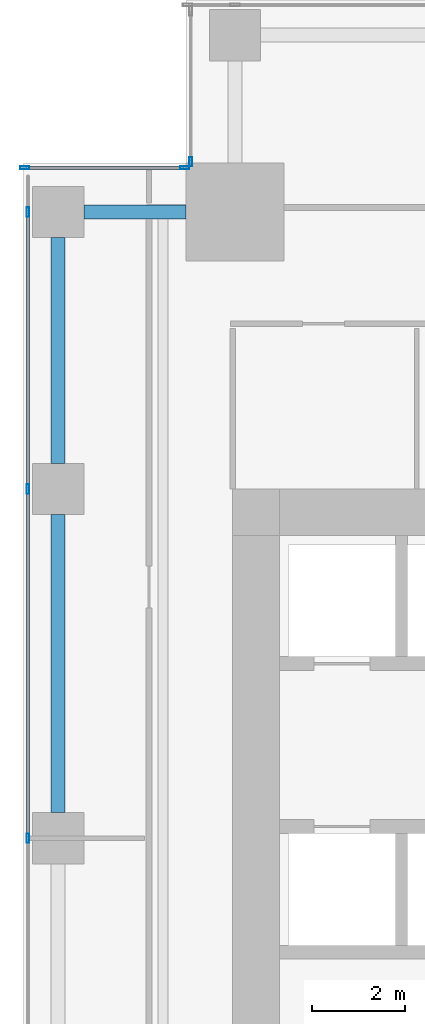
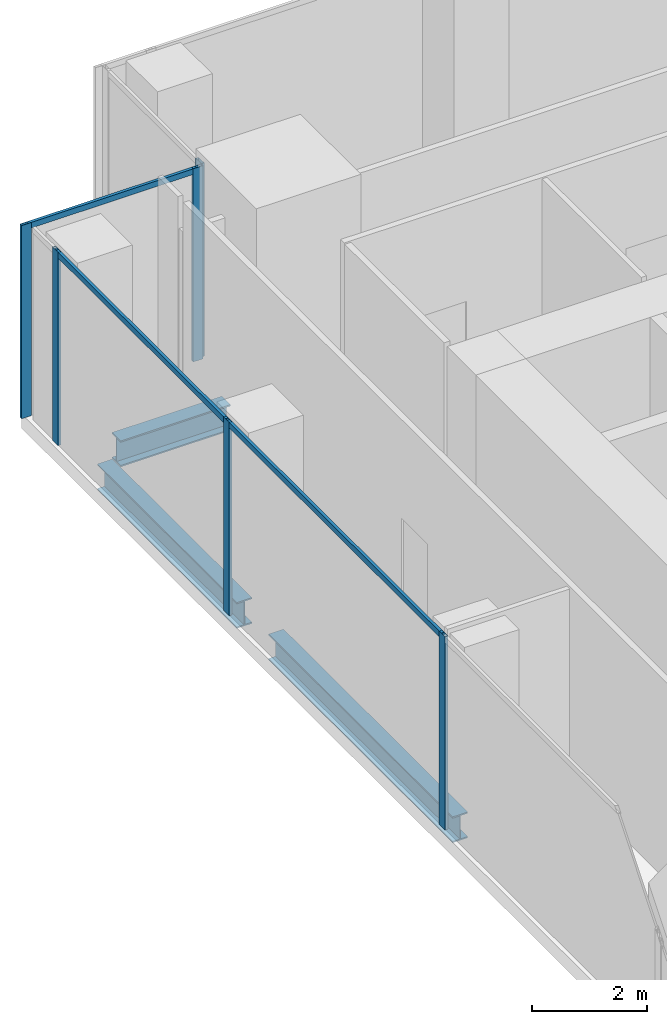
# One storey, part 14 of 33: 9 members, 3 beams, 3 elements without a shape of their own.
"""IFC4 building model written with IfcOpenShell, lengths in metres."""

from ifc_helpers import new_model, si_unit, direction, frame, origin, origin_2d, place, context, subcontext, project, spatial, hollow_rectangle, i_section, extrude, source, transform, mapped, material, material_profile, profile_set, type_object, element, aggregate, save


model = new_model("IFC4")

# Units and contexts
model_context = context("Model", 3, precision=1e-05, world=origin(), true_north=direction((0.0, 1.0)))
body_context = subcontext(model_context, "Body", "Model", "MODEL_VIEW")
ifc_project = project(units=[si_unit("LENGTHUNIT", "METRE"), si_unit("AREAUNIT", "SQUARE_METRE"), si_unit("VOLUMEUNIT", "CUBIC_METRE"), si_unit("PLANEANGLEUNIT", "RADIAN"), si_unit("MASSUNIT", "GRAM", prefix="KILO")], contexts=[model_context])

# Site, building, storey
site_placement = place(None, origin())
site = spatial("IfcSite", under=ifc_project, at=site_placement, CompositionType="ELEMENT")
building_placement = place(site_placement, origin())
building = spatial("IfcBuilding", under=site, at=building_placement, Name="Khomas Fold Tower", CompositionType="ELEMENT")
storey_placement = place(building_placement, frame((0.0, 0.0, 149.89990234375)))
storey = spatial("IfcBuildingStorey", under=building, at=storey_placement, Name="L32", CompositionType="ELEMENT", Elevation=149.89990234375)

# Beams
ifc_material_1 = material(Name="Steel S355", Category="steel")
ifc_material_profile_1 = material_profile(ifc_material_1, i_section(OverallWidth=0.300048828125, OverallDepth=0.550048828125, WebThickness=0.014892578125, FlangeThickness=0.029052734375, at=origin_2d()), Name="HE 550 B")
ifc_profile_set_1 = profile_set([ifc_material_profile_1], Name="Steel S355")
beam_type = type_object("IfcBeamType", Name="HE 550 B spandrel SB2", PredefinedType="SPANDREL", material=ifc_profile_set_1)
shared_shape_1 = source(origin(), body_context, "Body", "SweptSolid", [
    extrude(i_section(OverallWidth=0.300048828125, OverallDepth=0.550048828125, WebThickness=0.014892578125, FlangeThickness=0.029052734375, at=origin_2d()), origin(), (0.0, 0.0, 1.0), 4.849853515625),
])
beam_1_placement = place(storey_placement, frame((2.25, 42.550048828125, -0.574951171875), z_axis=(0.0, 1.0, 0.0), x_axis=(-1.0, 0.0, 0.0)))
element("IfcBeam", 1, at=beam_1_placement, inside=storey, type_object=beam_type, Name="SB2", PredefinedType="SPANDREL", context=body_context, shape_type="MappedRepresentation", body=[
    mapped(shared_shape_1, transform((0.0, 0.0, 0.0))),
])
shared_shape_2 = source(origin(), body_context, "Body", "SweptSolid", [
    extrude(i_section(OverallWidth=0.300048828125, OverallDepth=0.550048828125, WebThickness=0.014892578125, FlangeThickness=0.029052734375, at=origin_2d()), origin(), (0.0, 0.0, 1.0), 6.39990234375),
])
beam_2_placement = place(storey_placement, frame((2.25, 35.050048828125, -0.574951171875), z_axis=(0.0, 1.0, 0.0), x_axis=(-1.0, 0.0, 0.0)))
element("IfcBeam", 2, at=beam_2_placement, inside=storey, type_object=beam_type, Name="SB2", PredefinedType="SPANDREL", context=body_context, shape_type="MappedRepresentation", body=[
    mapped(shared_shape_2, transform((0.0, 0.0, 0.0))),
])
shared_shape_3 = source(origin(), body_context, "Body", "SweptSolid", [
    extrude(i_section(OverallWidth=0.300048828125, OverallDepth=0.550048828125, WebThickness=0.014892578125, FlangeThickness=0.029052734375, at=origin_2d()), origin(), (0.0, 0.0, 1.0), 2.199951171875),
])
beam_3_placement = place(storey_placement, frame((2.800048828125, 47.949951171875, -0.574951171875), z_axis=(1.0, 0.0, 0.0), x_axis=(0.0, 1.0, 0.0)))
element("IfcBeam", 3, at=beam_3_placement, inside=storey, type_object=beam_type, Name="SB2", PredefinedType="SPANDREL", context=body_context, shape_type="MappedRepresentation", body=[
    mapped(shared_shape_3, transform((0.0, 0.0, 0.0))),
])

# Curtain wall, member
ifc_material_2 = material(Name="Aluminium framed double glazing", Category="aluminium")
curtain_wall_type = type_object("IfcCurtainWallType", Name="SK-Unitised clear-glass wall, growing floors CW1", PredefinedType="NOTDEFINED", material=ifc_material_2)
curtain_wall_1_placement = place(storey_placement, origin())
curtain_wall_1 = element("IfcCurtainWall", 4, at=curtain_wall_1_placement, inside=storey, type_object=curtain_wall_type, Name="CW1 run L32 09-0", PredefinedType="NOTDEFINED")
ifc_material_3 = material(Name="Aluminium", Category="aluminium")
ifc_material_profile_2 = material_profile(ifc_material_3, hollow_rectangle(XDim=0.06005859375, YDim=0.1201171875, WallThickness=0.00390625, at=origin_2d()), Name="SK-Unitised clear-glass wall, growing floors transom CW1-T")
ifc_profile_set_2 = profile_set([ifc_material_profile_2], Name="Aluminium")
member_type_1 = type_object("IfcMemberType", Name="SK-Unitised clear-glass wall, growing floors transom CW1-T", PredefinedType="USERDEFINED", material=ifc_profile_set_2)
shared_shape_4 = source(origin(), body_context, "Body", "SweptSolid", [
    extrude(hollow_rectangle(XDim=0.06005859375, YDim=0.1201171875, WallThickness=0.00390625, at=origin_2d()), origin(), (0.0, 0.0, 1.0), 7.43994140625),
])
member_1_placement = place(storey_placement, frame((1.60009765625, 41.969970703125, 4.0400390625), z_axis=(0.0, -1.0, 0.0), x_axis=(1.0, 0.0, 0.0)))
member_1 = element("IfcMember", 5, at=member_1_placement, type_object=member_type_1, Name="CW1 transom 3", ObjectType="TRANSOM", PredefinedType="USERDEFINED", context=body_context, shape_type="MappedRepresentation", body=[
    mapped(shared_shape_4, transform((0.0, 0.0, 0.0))),
])

curtain_wall_2_placement = place(storey_placement, origin())
curtain_wall_2 = element("IfcCurtainWall", 6, at=curtain_wall_2_placement, inside=storey, type_object=curtain_wall_type, Name="CW1 corner return L32 07", PredefinedType="NOTDEFINED")
ifc_material_4 = material(Name="Aluminium", Category="aluminium")
ifc_material_profile_3 = material_profile(ifc_material_4, hollow_rectangle(XDim=0.06005859375, YDim=0.199951171875, WallThickness=0.00390625, at=origin_2d()), Name="SK-Unitised clear-glass wall, growing floors mullion CW1-M")
ifc_profile_set_3 = profile_set([ifc_material_profile_3], Name="Aluminium")
member_type_2 = type_object("IfcMemberType", Name="SK-Unitised clear-glass wall, growing floors mullion CW1-M", PredefinedType="MULLION", material=ifc_profile_set_3)
shared_shape_5 = source(origin(), body_context, "Body", "SweptSolid", [
    extrude(hollow_rectangle(XDim=0.06005859375, YDim=0.199951171875, WallThickness=0.00390625, at=origin_2d()), origin(), (0.0, 0.0, 1.0), 4.10009765625),
])
member_2_placement = place(storey_placement, frame((5.10009765625, 49.030029296875, 0.0), z_axis=(0.0, 0.0, 1.0), x_axis=(1.0, 0.0, 0.0)))
member_2 = element("IfcMember", 7, at=member_2_placement, type_object=member_type_2, Name="CW1 mullion 2", PredefinedType="MULLION", context=body_context, shape_type="MappedRepresentation", body=[
    mapped(shared_shape_5, transform((0.0, 0.0, 0.0))),
])
aggregate(curtain_wall_2, [member_2])

# Curtain wall, members
curtain_wall_3_placement = place(storey_placement, origin())
curtain_wall_3 = element("IfcCurtainWall", 8, at=curtain_wall_3_placement, inside=storey, type_object=curtain_wall_type, Name="CW1 corner return L32 08", PredefinedType="NOTDEFINED")
member_3_placement = place(storey_placement, frame((4.969970703125, 48.89990234375, 0.0), z_axis=(0.0, 0.0, 1.0), x_axis=(0.0, -1.0, 0.0)))
member_3 = element("IfcMember", 9, at=member_3_placement, type_object=member_type_2, Name="CW1 mullion 1", PredefinedType="MULLION", context=body_context, shape_type="MappedRepresentation", body=[
    mapped(shared_shape_5, transform((0.0, 0.0, 0.0))),
])
member_4_placement = place(storey_placement, frame((1.530029296875, 48.89990234375, 0.0), z_axis=(0.0, 0.0, 1.0), x_axis=(0.0, -1.0, 0.0)))
member_4 = element("IfcMember", 10, at=member_4_placement, type_object=member_type_2, Name="CW1 mullion 2", PredefinedType="MULLION", context=body_context, shape_type="MappedRepresentation", body=[
    mapped(shared_shape_5, transform((0.0, 0.0, 0.0))),
])

# Member
member_5_placement = place(storey_placement, frame((1.60009765625, 47.949951171875, 0.0), z_axis=(0.0, 0.0, 1.0), x_axis=(1.0, 0.0, 0.0)))
member_5 = element("IfcMember", 11, at=member_5_placement, type_object=member_type_2, Name="CW1 mullion 2", PredefinedType="MULLION", context=body_context, shape_type="MappedRepresentation", body=[
    mapped(shared_shape_5, transform((0.0, 0.0, 0.0))),
])

member_6_placement = place(storey_placement, frame((1.60009765625, 42.0, 0.0), z_axis=(0.0, 0.0, 1.0), x_axis=(1.0, 0.0, 0.0)))
member_6 = element("IfcMember", 12, at=member_6_placement, type_object=member_type_2, Name="CW1 mullion 3", PredefinedType="MULLION", context=body_context, shape_type="MappedRepresentation", body=[
    mapped(shared_shape_5, transform((0.0, 0.0, 0.0))),
])

member_7_placement = place(storey_placement, frame((1.60009765625, 34.5, 0.0), z_axis=(0.0, 0.0, 1.0), x_axis=(1.0, 0.0, 0.0)))
member_7 = element("IfcMember", 13, at=member_7_placement, type_object=member_type_2, Name="CW1 mullion 4", PredefinedType="MULLION", context=body_context, shape_type="MappedRepresentation", body=[
    mapped(shared_shape_5, transform((0.0, 0.0, 0.0))),
])

shared_shape_6 = source(origin(), body_context, "Body", "SweptSolid", [
    extrude(hollow_rectangle(XDim=0.06005859375, YDim=0.1201171875, WallThickness=0.00390625, at=origin_2d()), origin(), (0.0, 0.0, 1.0), 5.889892578125),
])
member_8_placement = place(storey_placement, frame((1.60009765625, 47.919921875, 4.0400390625), z_axis=(0.0, -1.0, 0.0), x_axis=(1.0, 0.0, 0.0)))
member_8 = element("IfcMember", 14, at=member_8_placement, type_object=member_type_1, Name="CW1 transom 2", ObjectType="TRANSOM", PredefinedType="USERDEFINED", context=body_context, shape_type="MappedRepresentation", body=[
    mapped(shared_shape_6, transform((0.0, 0.0, 0.0))),
])

aggregate(curtain_wall_1, [member_5, member_6, member_7, member_8, member_1])

shared_shape_7 = source(origin(), body_context, "Body", "SweptSolid", [
    extrude(hollow_rectangle(XDim=0.06005859375, YDim=0.1201171875, WallThickness=0.00390625, at=origin_2d()), origin(), (0.0, 0.0, 1.0), 3.3798828125),
])
member_9_placement = place(storey_placement, frame((4.93994140625, 48.89990234375, 4.0400390625), z_axis=(-1.0, 0.0, 0.0), x_axis=(0.0, -1.0, 0.0)))
member_9 = element("IfcMember", 15, at=member_9_placement, type_object=member_type_1, Name="CW1 transom 1", ObjectType="TRANSOM", PredefinedType="USERDEFINED", context=body_context, shape_type="MappedRepresentation", body=[
    mapped(shared_shape_7, transform((0.0, 0.0, 0.0))),
])

aggregate(curtain_wall_3, [member_3, member_4, member_9])

save(model, "model.ifc")
